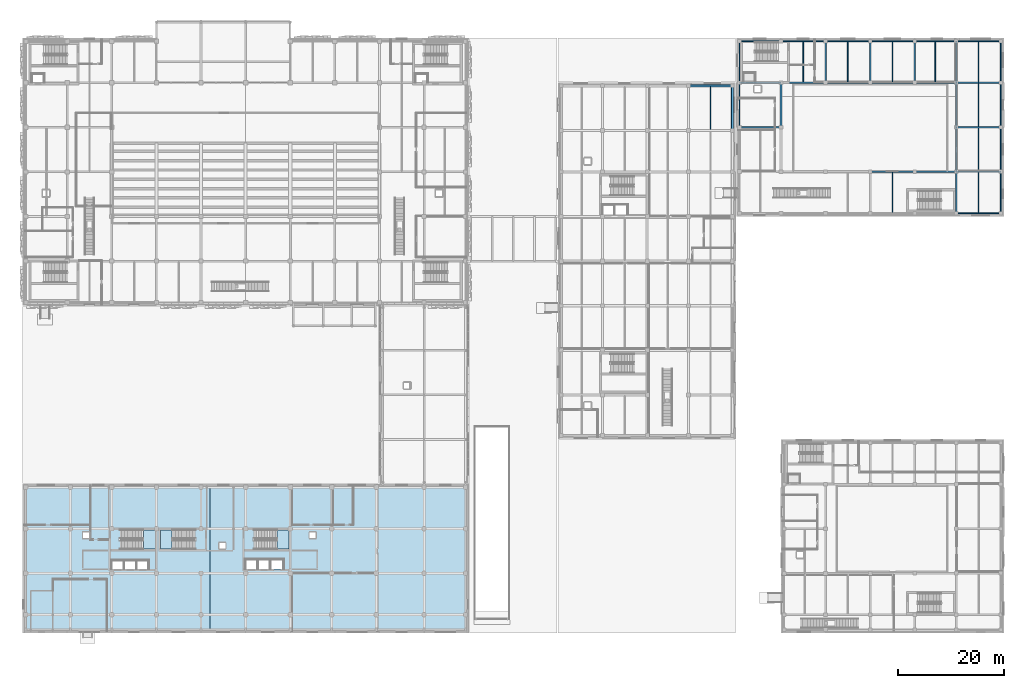
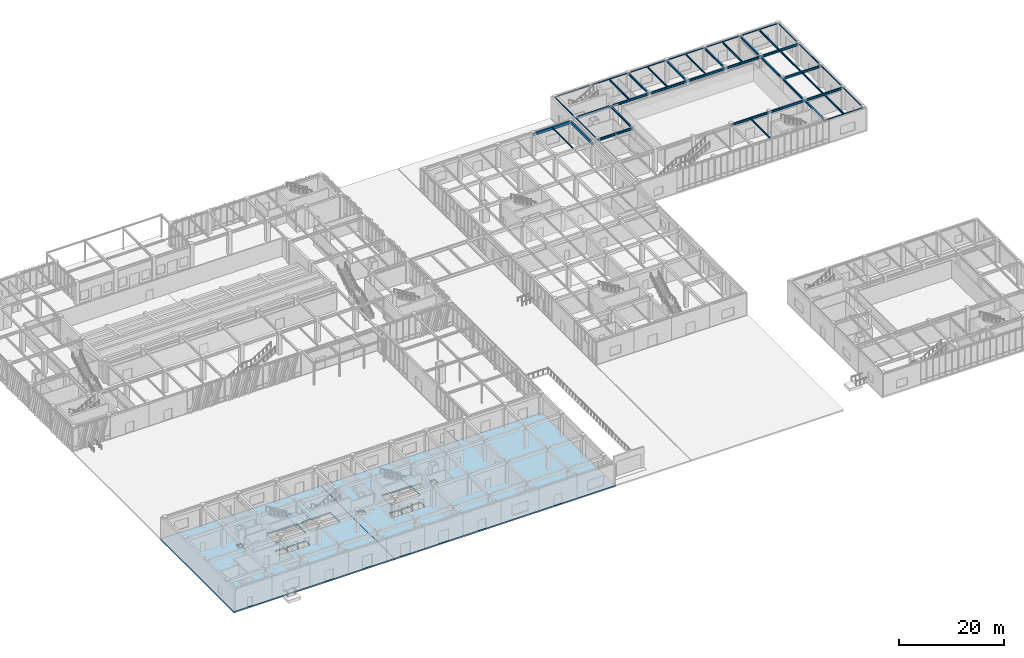
# One storey, part 77 of 122: 44 beams, 5 slabs, 3 elements without a shape of their own.
"""IFC4 building model written with IfcOpenShell, lengths in metres."""

from ifc_helpers import new_model, si_unit, direction, frame, origin, origin_2d, place, context, subcontext, project, spatial, polyline, rectangle, hollow_rectangle, i_section, outline, extrude, material, layer, layer_set, material_profile, profile_set, type_object, element, aggregate, save


model = new_model("IFC4")

# Units and contexts
model_context = context("Model", 3, precision=1e-05, world=origin(), true_north=direction((0.0, 1.0)))
body_context = subcontext(model_context, "Body", "Model", "MODEL_VIEW")
ifc_project = project(units=[si_unit("LENGTHUNIT", "METRE"), si_unit("AREAUNIT", "SQUARE_METRE"), si_unit("VOLUMEUNIT", "CUBIC_METRE"), si_unit("PLANEANGLEUNIT", "RADIAN"), si_unit("MASSUNIT", "GRAM", prefix="KILO")], contexts=[model_context])

# Site, building, storey
site_placement = place(None, origin())
site = spatial("IfcSite", under=ifc_project, at=site_placement, CompositionType="ELEMENT")
building_placement = place(site_placement, origin())
building = spatial("IfcBuilding", under=site, at=building_placement, Name="Zayran Congress Hotel", CompositionType="ELEMENT")
storey_placement = place(building_placement, origin())
storey = spatial("IfcBuildingStorey", under=building, at=storey_placement, Name="L00", CompositionType="ELEMENT", Elevation=0.0)

# Beams
ifc_material_1 = material(Name="Concrete C40/50", Category="concrete")
ifc_material_profile_1 = material_profile(ifc_material_1, rectangle(XDim=0.35009765625, YDim=0.60009765625, at=origin_2d()), Name="RC 350x600")
ifc_profile_set_1 = profile_set([ifc_material_profile_1], Name="Concrete C40/50")
beam_type_1 = type_object("IfcBeamType", Name="TP-SP-01", PredefinedType="SPANDREL", material=ifc_profile_set_1)
beam_1_placement = place(storey_placement, frame((133.800048828125, 109.0, 4.800048828125), z_axis=(1.0, 0.0, 0.0), x_axis=(0.0, 1.0, 0.0)))
element("IfcBeam", 1, at=beam_1_placement, inside=storey, type_object=beam_type_1, Name="BM-V4-L00-1241", PredefinedType="SPANDREL", context=body_context, shape_type="SweptSolid", body=[
    extrude(rectangle(XDim=0.35009765625, YDim=0.60009765625, at=origin_2d()), origin(), (0.0, 0.0, 1.0), 8.25),
])
beam_2_placement = place(storey_placement, frame((142.050048828125, 100.60009765625, 4.800048828125), z_axis=(0.0, 1.0, 0.0), x_axis=(-1.0, 0.0, 0.0)))
element("IfcBeam", 2, at=beam_2_placement, inside=storey, type_object=beam_type_1, Name="BM-V4-L00-1279", PredefinedType="SPANDREL", context=body_context, shape_type="SweptSolid", body=[
    extrude(rectangle(XDim=0.35009765625, YDim=0.60009765625, at=origin_2d()), origin(), (0.0, 0.0, 1.0), 8.39990234375),
])
ifc_material_2 = material(Name="Steel S355", Category="steel")
ifc_material_profile_2 = material_profile(ifc_material_2, i_section(OverallWidth=0.300048828125, OverallDepth=0.489990234375, WebThickness=0.011962890625, FlangeThickness=0.02294921875, at=origin_2d()), Name="HEA 500")
ifc_profile_set_2 = profile_set([ifc_material_profile_2], Name="Steel S355")
beam_type_2 = type_object("IfcBeamType", Name="TP-BM-05", PredefinedType="BEAM", material=ifc_profile_set_2)
beam_3_placement = place(storey_placement, frame((168.0, 92.800048828125, 4.8349609375), z_axis=(1.0, 0.0, 0.0), x_axis=(0.0, 1.0, 0.0)))
element("IfcBeam", 3, at=beam_3_placement, inside=storey, type_object=beam_type_2, Name="BM-V2-L00-0905", PredefinedType="BEAM", context=body_context, shape_type="SweptSolid", body=[
    extrude(i_section(OverallWidth=0.300048828125, OverallDepth=0.489990234375, WebThickness=0.011962890625, FlangeThickness=0.02294921875, at=origin_2d()), origin(), (0.0, 0.0, 1.0), 8.39990234375),
])
beam_4_placement = place(storey_placement, frame((176.39990234375, 92.800048828125, 4.8349609375), z_axis=(1.0, 0.0, 0.0), x_axis=(0.0, 1.0, 0.0)))
element("IfcBeam", 4, at=beam_4_placement, inside=storey, type_object=beam_type_2, Name="BM-V2-L00-0906", PredefinedType="BEAM", context=body_context, shape_type="SweptSolid", body=[
    extrude(i_section(OverallWidth=0.300048828125, OverallDepth=0.489990234375, WebThickness=0.011962890625, FlangeThickness=0.02294921875, at=origin_2d()), origin(), (0.0, 0.0, 1.0), 7.800048828125),
])
beam_5_placement = place(storey_placement, frame((184.199951171875, 92.800048828125, 4.8349609375), z_axis=(1.0, 0.0, 0.0), x_axis=(0.0, 1.0, 0.0)))
element("IfcBeam", 5, at=beam_5_placement, inside=storey, type_object=beam_type_2, Name="BM-V2-L00-0907", PredefinedType="BEAM", context=body_context, shape_type="SweptSolid", body=[
    extrude(i_section(OverallWidth=0.300048828125, OverallDepth=0.489990234375, WebThickness=0.011962890625, FlangeThickness=0.02294921875, at=origin_2d()), origin(), (0.0, 0.0, 1.0), 8.400146484375),
])
beam_6_placement = place(storey_placement, frame((143.39990234375, 101.199951171875, 4.8349609375), z_axis=(1.0, 0.0, 0.0), x_axis=(0.0, 1.0, 0.0)))
element("IfcBeam", 6, at=beam_6_placement, inside=storey, type_object=beam_type_2, Name="BM-V2-L00-0908", PredefinedType="BEAM", context=body_context, shape_type="SweptSolid", body=[
    extrude(i_section(OverallWidth=0.300048828125, OverallDepth=0.489990234375, WebThickness=0.011962890625, FlangeThickness=0.02294921875, at=origin_2d()), origin(), (0.0, 0.0, 1.0), 7.800048828125),
])
beam_7_placement = place(storey_placement, frame((184.199951171875, 101.199951171875, 4.8349609375), z_axis=(1.0, 0.0, 0.0), x_axis=(0.0, 1.0, 0.0)))
element("IfcBeam", 7, at=beam_7_placement, inside=storey, type_object=beam_type_2, Name="BM-V2-L00-0909", PredefinedType="BEAM", context=body_context, shape_type="SweptSolid", body=[
    extrude(i_section(OverallWidth=0.300048828125, OverallDepth=0.489990234375, WebThickness=0.011962890625, FlangeThickness=0.02294921875, at=origin_2d()), origin(), (0.0, 0.0, 1.0), 8.400146484375),
])
beam_8_placement = place(storey_placement, frame((143.39990234375, 109.60009765625, 4.8349609375), z_axis=(1.0, 0.0, 0.0), x_axis=(0.0, 1.0, 0.0)))
element("IfcBeam", 8, at=beam_8_placement, inside=storey, type_object=beam_type_2, Name="BM-V2-L00-0910", PredefinedType="BEAM", context=body_context, shape_type="SweptSolid", body=[
    extrude(i_section(OverallWidth=0.300048828125, OverallDepth=0.489990234375, WebThickness=0.011962890625, FlangeThickness=0.02294921875, at=origin_2d()), origin(), (0.0, 0.0, 1.0), 7.800048828125),
])
beam_9_placement = place(storey_placement, frame((151.199951171875, 109.60009765625, 4.8349609375), z_axis=(1.0, 0.0, 0.0), x_axis=(0.0, 1.0, 0.0)))
element("IfcBeam", 9, at=beam_9_placement, inside=storey, type_object=beam_type_2, Name="BM-V2-L00-0911", PredefinedType="BEAM", context=body_context, shape_type="SweptSolid", body=[
    extrude(i_section(OverallWidth=0.300048828125, OverallDepth=0.489990234375, WebThickness=0.011962890625, FlangeThickness=0.02294921875, at=origin_2d()), origin(), (0.0, 0.0, 1.0), 8.400146484375),
])
for number, where, z_axis, x_axis, name in (
    (10, (159.60009765625, 109.60009765625, 4.8349609375), (1.0, 0.0, 0.0), (0.0, 1.0, 0.0), "BM-V2-L00-0912"),
    (11, (168.0, 109.60009765625, 4.8349609375), (1.0, 0.0, 0.0), (0.0, 1.0, 0.0), "BM-V2-L00-0913"),
):
    element("IfcBeam", number, at=place(storey_placement, frame(where, z_axis=z_axis, x_axis=x_axis)), inside=storey, type_object=beam_type_2, Name=name, PredefinedType="BEAM", context=body_context, shape_type="SweptSolid", body=[
        extrude(i_section(OverallWidth=0.300048828125, OverallDepth=0.489990234375, WebThickness=0.011962890625, FlangeThickness=0.02294921875, at=origin_2d()), origin(), (0.0, 0.0, 1.0), 8.39990234375),
    ])
beam_10_placement = place(storey_placement, frame((176.39990234375, 109.60009765625, 4.8349609375), z_axis=(1.0, 0.0, 0.0), x_axis=(0.0, 1.0, 0.0)))
element("IfcBeam", 12, at=beam_10_placement, inside=storey, type_object=beam_type_2, Name="BM-V2-L00-0914", PredefinedType="BEAM", context=body_context, shape_type="SweptSolid", body=[
    extrude(i_section(OverallWidth=0.300048828125, OverallDepth=0.489990234375, WebThickness=0.011962890625, FlangeThickness=0.02294921875, at=origin_2d()), origin(), (0.0, 0.0, 1.0), 7.800048828125),
])
beam_11_placement = place(storey_placement, frame((184.199951171875, 109.60009765625, 4.8349609375), z_axis=(1.0, 0.0, 0.0), x_axis=(0.0, 1.0, 0.0)))
element("IfcBeam", 13, at=beam_11_placement, inside=storey, type_object=beam_type_2, Name="BM-V2-L00-0915", PredefinedType="BEAM", context=body_context, shape_type="SweptSolid", body=[
    extrude(i_section(OverallWidth=0.300048828125, OverallDepth=0.489990234375, WebThickness=0.011962890625, FlangeThickness=0.02294921875, at=origin_2d()), origin(), (0.0, 0.0, 1.0), 8.400146484375),
])
ifc_material_profile_3 = material_profile(ifc_material_2, i_section(OverallWidth=0.300048828125, OverallDepth=0.389892578125, WebThickness=0.010986328125, FlangeThickness=0.01904296875, at=origin_2d()), Name="HEA 400")
ifc_profile_set_3 = profile_set([ifc_material_profile_3], Name="Steel S355")
beam_type_3 = type_object("IfcBeamType", Name="TP-BM-06", PredefinedType="BEAM", material=ifc_profile_set_3)
beam_12_placement = place(storey_placement, frame((151.199951171875, 101.199951171875, 4.885009765625), z_axis=(0.0, 1.0, 0.0), x_axis=(-1.0, 0.0, 0.0)))
element("IfcBeam", 14, at=beam_12_placement, inside=storey, type_object=beam_type_3, Name="BM-V2-L00-0927", PredefinedType="BEAM", context=body_context, shape_type="SweptSolid", body=[
    extrude(i_section(OverallWidth=0.300048828125, OverallDepth=0.389892578125, WebThickness=0.010986328125, FlangeThickness=0.01904296875, at=origin_2d()), origin(), (0.0, 0.0, 1.0), 8.400146484375),
])
for number, where, z_axis, x_axis, name in (
    (15, (159.60009765625, 109.60009765625, 4.885009765625), (0.0, 1.0, 0.0), (-1.0, 0.0, 0.0), "BM-V2-L00-0928"),
    (16, (168.0, 109.60009765625, 4.885009765625), (0.0, 1.0, 0.0), (-1.0, 0.0, 0.0), "BM-V2-L00-0930"),
    (17, (176.39990234375, 109.60009765625, 4.885009765625), (0.0, 1.0, 0.0), (-1.0, 0.0, 0.0), "BM-V2-L00-0931"),
):
    element("IfcBeam", number, at=place(storey_placement, frame(where, z_axis=z_axis, x_axis=x_axis)), inside=storey, type_object=beam_type_3, Name=name, PredefinedType="BEAM", context=body_context, shape_type="SweptSolid", body=[
        extrude(i_section(OverallWidth=0.300048828125, OverallDepth=0.389892578125, WebThickness=0.010986328125, FlangeThickness=0.01904296875, at=origin_2d()), origin(), (0.0, 0.0, 1.0), 7.7998046875),
    ])
beam_13_placement = place(storey_placement, frame((184.199951171875, 85.0, 4.885009765625), z_axis=(0.0, 1.0, 0.0), x_axis=(-1.0, 0.0, 0.0)))
element("IfcBeam", 18, at=beam_13_placement, inside=storey, type_object=beam_type_3, Name="BM-V2-L00-0932", PredefinedType="BEAM", context=body_context, shape_type="SweptSolid", body=[
    extrude(i_section(OverallWidth=0.300048828125, OverallDepth=0.389892578125, WebThickness=0.010986328125, FlangeThickness=0.01904296875, at=origin_2d()), origin(), (0.0, 0.0, 1.0), 7.800048828125),
])
beam_14_placement = place(storey_placement, frame((184.199951171875, 92.800048828125, 4.885009765625), z_axis=(0.0, 1.0, 0.0), x_axis=(-1.0, 0.0, 0.0)))
element("IfcBeam", 19, at=beam_14_placement, inside=storey, type_object=beam_type_3, Name="BM-V2-L00-0933", PredefinedType="BEAM", context=body_context, shape_type="SweptSolid", body=[
    extrude(i_section(OverallWidth=0.300048828125, OverallDepth=0.389892578125, WebThickness=0.010986328125, FlangeThickness=0.01904296875, at=origin_2d()), origin(), (0.0, 0.0, 1.0), 8.39990234375),
])
beam_15_placement = place(storey_placement, frame((184.199951171875, 101.199951171875, 4.885009765625), z_axis=(0.0, 1.0, 0.0), x_axis=(-1.0, 0.0, 0.0)))
element("IfcBeam", 20, at=beam_15_placement, inside=storey, type_object=beam_type_3, Name="BM-V2-L00-0934", PredefinedType="BEAM", context=body_context, shape_type="SweptSolid", body=[
    extrude(i_section(OverallWidth=0.300048828125, OverallDepth=0.389892578125, WebThickness=0.010986328125, FlangeThickness=0.01904296875, at=origin_2d()), origin(), (0.0, 0.0, 1.0), 8.400146484375),
])
beam_16_placement = place(storey_placement, frame((184.199951171875, 109.60009765625, 4.885009765625), z_axis=(0.0, 1.0, 0.0), x_axis=(-1.0, 0.0, 0.0)))
element("IfcBeam", 21, at=beam_16_placement, inside=storey, type_object=beam_type_3, Name="BM-V2-L00-0935", PredefinedType="BEAM", context=body_context, shape_type="SweptSolid", body=[
    extrude(i_section(OverallWidth=0.300048828125, OverallDepth=0.389892578125, WebThickness=0.010986328125, FlangeThickness=0.01904296875, at=origin_2d()), origin(), (0.0, 0.0, 1.0), 7.7998046875),
])
ifc_material_profile_4 = material_profile(ifc_material_2, i_section(OverallWidth=0.18994140625, OverallDepth=0.449951171875, WebThickness=0.009521484375, FlangeThickness=0.0146484375, at=origin_2d()), Name="IPE 450")
ifc_profile_set_4 = profile_set([ifc_material_profile_4], Name="Steel S355")
beam_type_4 = type_object("IfcBeamType", Name="TP-JS-02", PredefinedType="JOIST", material=ifc_profile_set_4)
beam_17_placement = place(storey_placement, frame((180.300048828125, 109.75, 4.85498046875), z_axis=(0.0, 1.0, 0.0), x_axis=(-1.0, 0.0, 0.0)))
element("IfcBeam", 22, at=beam_17_placement, inside=storey, type_object=beam_type_4, Name="JST-V2-L00-0948", PredefinedType="JOIST", context=body_context, shape_type="SweptSolid", body=[
    extrude(i_section(OverallWidth=0.18994140625, OverallDepth=0.449951171875, WebThickness=0.009521484375, FlangeThickness=0.0146484375, at=origin_2d()), origin(), (0.0, 0.0, 1.0), 7.590087890625),
])
ifc_material_profile_5 = material_profile(ifc_material_2, i_section(OverallWidth=0.179931640625, OverallDepth=0.39990234375, WebThickness=0.008544921875, FlangeThickness=0.013427734375, at=origin_2d()), Name="IPE 400")
ifc_profile_set_5 = profile_set([ifc_material_profile_5], Name="Steel S355")
beam_type_5 = type_object("IfcBeamType", Name="TP-JS-03", PredefinedType="JOIST", material=ifc_profile_set_5)
beam_18_placement = place(storey_placement, frame((155.39990234375, 109.75, 4.8798828125), z_axis=(0.0, 1.0, 0.0), x_axis=(-1.0, 0.0, 0.0)))
element("IfcBeam", 23, at=beam_18_placement, inside=storey, type_object=beam_type_5, Name="JST-V2-L00-0943", PredefinedType="JOIST", context=body_context, shape_type="SweptSolid", body=[
    extrude(i_section(OverallWidth=0.179931640625, OverallDepth=0.39990234375, WebThickness=0.008544921875, FlangeThickness=0.013427734375, at=origin_2d()), origin(), (0.0, 0.0, 1.0), 7.590087890625),
])
beam_19_placement = place(storey_placement, frame((188.39990234375, 85.06005859375, 4.8798828125), z_axis=(0.0, 1.0, 0.0), x_axis=(-1.0, 0.0, 0.0)))
element("IfcBeam", 24, at=beam_19_placement, inside=storey, type_object=beam_type_5, Name="JST-V2-L00-0949", PredefinedType="JOIST", context=body_context, shape_type="SweptSolid", body=[
    extrude(i_section(OverallWidth=0.179931640625, OverallDepth=0.39990234375, WebThickness=0.008544921875, FlangeThickness=0.013427734375, at=origin_2d()), origin(), (0.0, 0.0, 1.0), 7.58984375),
])
beam_20_placement = place(storey_placement, frame((188.39990234375, 92.949951171875, 4.8798828125), z_axis=(0.0, 1.0, 0.0), x_axis=(-1.0, 0.0, 0.0)))
element("IfcBeam", 25, at=beam_20_placement, inside=storey, type_object=beam_type_5, Name="JST-V2-L00-0950", PredefinedType="JOIST", context=body_context, shape_type="SweptSolid", body=[
    extrude(i_section(OverallWidth=0.179931640625, OverallDepth=0.39990234375, WebThickness=0.008544921875, FlangeThickness=0.013427734375, at=origin_2d()), origin(), (0.0, 0.0, 1.0), 8.10009765625),
])
beam_21_placement = place(storey_placement, frame((188.39990234375, 101.35009765625, 4.8798828125), z_axis=(0.0, 1.0, 0.0), x_axis=(-1.0, 0.0, 0.0)))
element("IfcBeam", 26, at=beam_21_placement, inside=storey, type_object=beam_type_5, Name="JST-V2-L00-0951", PredefinedType="JOIST", context=body_context, shape_type="SweptSolid", body=[
    extrude(i_section(OverallWidth=0.179931640625, OverallDepth=0.39990234375, WebThickness=0.008544921875, FlangeThickness=0.013427734375, at=origin_2d()), origin(), (0.0, 0.0, 1.0), 8.099853515625),
])
beam_22_placement = place(storey_placement, frame((188.39990234375, 109.75, 4.8798828125), z_axis=(0.0, 1.0, 0.0), x_axis=(-1.0, 0.0, 0.0)))
element("IfcBeam", 27, at=beam_22_placement, inside=storey, type_object=beam_type_5, Name="JST-V2-L00-0952", PredefinedType="JOIST", context=body_context, shape_type="SweptSolid", body=[
    extrude(i_section(OverallWidth=0.179931640625, OverallDepth=0.39990234375, WebThickness=0.008544921875, FlangeThickness=0.013427734375, at=origin_2d()), origin(), (0.0, 0.0, 1.0), 7.590087890625),
])
ifc_material_profile_6 = material_profile(ifc_material_2, i_section(OverallWidth=0.169921875, OverallDepth=0.360107421875, WebThickness=0.008056640625, FlangeThickness=0.0126953125, at=origin_2d()), Name="IPE 360")
ifc_profile_set_6 = profile_set([ifc_material_profile_6], Name="Steel S355")
beam_type_6 = type_object("IfcBeamType", Name="TP-JS-04", PredefinedType="JOIST", material=ifc_profile_set_6)
beam_23_placement = place(storey_placement, frame((163.800048828125, 109.75, 4.89990234375), z_axis=(0.0, 1.0, 0.0), x_axis=(-1.0, 0.0, 0.0)))
element("IfcBeam", 28, at=beam_23_placement, inside=storey, type_object=beam_type_6, Name="JST-V2-L00-0945", PredefinedType="JOIST", context=body_context, shape_type="SweptSolid", body=[
    extrude(i_section(OverallWidth=0.169921875, OverallDepth=0.360107421875, WebThickness=0.008056640625, FlangeThickness=0.0126953125, at=origin_2d()), origin(), (0.0, 0.0, 1.0), 7.590087890625),
])
ifc_material_profile_7 = material_profile(ifc_material_2, i_section(OverallWidth=0.14990234375, OverallDepth=0.300048828125, WebThickness=0.007080078125, FlangeThickness=0.0107421875, at=origin_2d()), Name="IPE 300")
ifc_profile_set_7 = profile_set([ifc_material_profile_7], Name="Steel S355")
beam_type_7 = type_object("IfcBeamType", Name="TP-JS-05", PredefinedType="JOIST", material=ifc_profile_set_7)
beam_24_placement = place(storey_placement, frame((172.199951171875, 85.06005859375, 4.929931640625), z_axis=(0.0, 1.0, 0.0), x_axis=(-1.0, 0.0, 0.0)))
element("IfcBeam", 29, at=beam_24_placement, inside=storey, type_object=beam_type_7, Name="JST-V2-L00-0946", PredefinedType="JOIST", context=body_context, shape_type="SweptSolid", body=[
    extrude(i_section(OverallWidth=0.14990234375, OverallDepth=0.300048828125, WebThickness=0.007080078125, FlangeThickness=0.0107421875, at=origin_2d()), origin(), (0.0, 0.0, 1.0), 7.58984375),
])
beam_25_placement = place(storey_placement, frame((172.199951171875, 109.75, 4.929931640625), z_axis=(0.0, 1.0, 0.0), x_axis=(-1.0, 0.0, 0.0)))
element("IfcBeam", 30, at=beam_25_placement, inside=storey, type_object=beam_type_7, Name="JST-V2-L00-0947", PredefinedType="JOIST", context=body_context, shape_type="SweptSolid", body=[
    extrude(i_section(OverallWidth=0.14990234375, OverallDepth=0.300048828125, WebThickness=0.007080078125, FlangeThickness=0.0107421875, at=origin_2d()), origin(), (0.0, 0.0, 1.0), 7.590087890625),
])
beam_26_placement = place(storey_placement, frame((137.925048828125, 100.800048828125, 4.949951171875), z_axis=(0.0, 1.0, 0.0), x_axis=(-1.0, 0.0, 0.0)))
element("IfcBeam", 31, at=beam_26_placement, inside=storey, type_object=beam_type_7, Name="JST-V4-L00-1307", PredefinedType="JOIST", context=body_context, shape_type="SweptSolid", body=[
    extrude(i_section(OverallWidth=0.14990234375, OverallDepth=0.300048828125, WebThickness=0.007080078125, FlangeThickness=0.0107421875, at=origin_2d()), origin(), (0.0, 0.0, 1.0), 8.02490234375),
])
ifc_material_profile_8 = material_profile(ifc_material_2, hollow_rectangle(XDim=0.1201171875, YDim=0.199951171875, WallThickness=0.008056640625, at=origin_2d()), Name="RHS 200x120x8")
ifc_profile_set_8 = profile_set([ifc_material_profile_8], Name="Steel S355")
beam_type_8 = type_object("IfcBeamType", Name="TP-SP-02", PredefinedType="SPANDREL", material=ifc_profile_set_8)
beam_27_placement = place(storey_placement, frame((184.199951171875, 85.0, 4.97998046875), z_axis=(1.0, 0.0, 0.0), x_axis=(0.0, 1.0, 0.0)))
element("IfcBeam", 32, at=beam_27_placement, inside=storey, type_object=beam_type_8, Name="BM-V2-L00-0901", PredefinedType="SPANDREL", context=body_context, shape_type="SweptSolid", body=[
    extrude(hollow_rectangle(XDim=0.1201171875, YDim=0.199951171875, WallThickness=0.008056640625, at=origin_2d()), origin(), (0.0, 0.0, 1.0), 8.400146484375),
])
beam_28_placement = place(storey_placement, frame((143.39990234375, 117.39990234375, 4.97998046875), z_axis=(1.0, 0.0, 0.0), x_axis=(0.0, 1.0, 0.0)))
element("IfcBeam", 33, at=beam_28_placement, inside=storey, type_object=beam_type_8, Name="BM-V2-L00-0916", PredefinedType="SPANDREL", context=body_context, shape_type="SweptSolid", body=[
    extrude(hollow_rectangle(XDim=0.1201171875, YDim=0.199951171875, WallThickness=0.008056640625, at=origin_2d()), origin(), (0.0, 0.0, 1.0), 7.800048828125),
])
beam_29_placement = place(storey_placement, frame((151.199951171875, 117.39990234375, 4.97998046875), z_axis=(1.0, 0.0, 0.0), x_axis=(0.0, 1.0, 0.0)))
element("IfcBeam", 34, at=beam_29_placement, inside=storey, type_object=beam_type_8, Name="BM-V2-L00-0917", PredefinedType="SPANDREL", context=body_context, shape_type="SweptSolid", body=[
    extrude(hollow_rectangle(XDim=0.1201171875, YDim=0.199951171875, WallThickness=0.008056640625, at=origin_2d()), origin(), (0.0, 0.0, 1.0), 8.400146484375),
])
for number, where, z_axis, x_axis, name in (
    (35, (159.60009765625, 117.39990234375, 4.97998046875), (1.0, 0.0, 0.0), (0.0, 1.0, 0.0), "BM-V2-L00-0918"),
    (36, (168.0, 117.39990234375, 4.97998046875), (1.0, 0.0, 0.0), (0.0, 1.0, 0.0), "BM-V2-L00-0919"),
):
    element("IfcBeam", number, at=place(storey_placement, frame(where, z_axis=z_axis, x_axis=x_axis)), inside=storey, type_object=beam_type_8, Name=name, PredefinedType="SPANDREL", context=body_context, shape_type="SweptSolid", body=[
        extrude(hollow_rectangle(XDim=0.1201171875, YDim=0.199951171875, WallThickness=0.008056640625, at=origin_2d()), origin(), (0.0, 0.0, 1.0), 8.39990234375),
    ])
beam_30_placement = place(storey_placement, frame((176.39990234375, 117.39990234375, 4.97998046875), z_axis=(1.0, 0.0, 0.0), x_axis=(0.0, 1.0, 0.0)))
element("IfcBeam", 37, at=beam_30_placement, inside=storey, type_object=beam_type_8, Name="BM-V2-L00-0920", PredefinedType="SPANDREL", context=body_context, shape_type="SweptSolid", body=[
    extrude(hollow_rectangle(XDim=0.1201171875, YDim=0.199951171875, WallThickness=0.008056640625, at=origin_2d()), origin(), (0.0, 0.0, 1.0), 7.800048828125),
])
for number, where, z_axis, x_axis, name in (
    (38, (184.199951171875, 117.39990234375, 4.97998046875), (1.0, 0.0, 0.0), (0.0, 1.0, 0.0), "BM-V2-L00-0921"),
    (39, (143.39990234375, 101.199951171875, 4.97998046875), (0.0, 1.0, 0.0), (-1.0, 0.0, 0.0), "BM-V2-L00-0924"),
):
    element("IfcBeam", number, at=place(storey_placement, frame(where, z_axis=z_axis, x_axis=x_axis)), inside=storey, type_object=beam_type_8, Name=name, PredefinedType="SPANDREL", context=body_context, shape_type="SweptSolid", body=[
        extrude(hollow_rectangle(XDim=0.1201171875, YDim=0.199951171875, WallThickness=0.008056640625, at=origin_2d()), origin(), (0.0, 0.0, 1.0), 8.400146484375),
    ])
beam_31_placement = place(storey_placement, frame((143.39990234375, 109.60009765625, 4.97998046875), z_axis=(0.0, 1.0, 0.0), x_axis=(-1.0, 0.0, 0.0)))
element("IfcBeam", 40, at=beam_31_placement, inside=storey, type_object=beam_type_8, Name="BM-V2-L00-0925", PredefinedType="SPANDREL", context=body_context, shape_type="SweptSolid", body=[
    extrude(hollow_rectangle(XDim=0.1201171875, YDim=0.199951171875, WallThickness=0.008056640625, at=origin_2d()), origin(), (0.0, 0.0, 1.0), 7.7998046875),
])
beam_32_placement = place(storey_placement, frame((192.60009765625, 85.0, 4.97998046875), z_axis=(0.0, 1.0, 0.0), x_axis=(-1.0, 0.0, 0.0)))
element("IfcBeam", 41, at=beam_32_placement, inside=storey, type_object=beam_type_8, Name="BM-V2-L00-0936", PredefinedType="SPANDREL", context=body_context, shape_type="SweptSolid", body=[
    extrude(hollow_rectangle(XDim=0.1201171875, YDim=0.199951171875, WallThickness=0.008056640625, at=origin_2d()), origin(), (0.0, 0.0, 1.0), 7.800048828125),
])
beam_33_placement = place(storey_placement, frame((192.60009765625, 92.800048828125, 4.97998046875), z_axis=(0.0, 1.0, 0.0), x_axis=(-1.0, 0.0, 0.0)))
element("IfcBeam", 42, at=beam_33_placement, inside=storey, type_object=beam_type_8, Name="BM-V2-L00-0937", PredefinedType="SPANDREL", context=body_context, shape_type="SweptSolid", body=[
    extrude(hollow_rectangle(XDim=0.1201171875, YDim=0.199951171875, WallThickness=0.008056640625, at=origin_2d()), origin(), (0.0, 0.0, 1.0), 8.39990234375),
])
beam_34_placement = place(storey_placement, frame((192.60009765625, 101.199951171875, 4.97998046875), z_axis=(0.0, 1.0, 0.0), x_axis=(-1.0, 0.0, 0.0)))
element("IfcBeam", 43, at=beam_34_placement, inside=storey, type_object=beam_type_8, Name="BM-V2-L00-0938", PredefinedType="SPANDREL", context=body_context, shape_type="SweptSolid", body=[
    extrude(hollow_rectangle(XDim=0.1201171875, YDim=0.199951171875, WallThickness=0.008056640625, at=origin_2d()), origin(), (0.0, 0.0, 1.0), 8.400146484375),
])
beam_35_placement = place(storey_placement, frame((192.60009765625, 109.60009765625, 4.97998046875), z_axis=(0.0, 1.0, 0.0), x_axis=(-1.0, 0.0, 0.0)))
element("IfcBeam", 44, at=beam_35_placement, inside=storey, type_object=beam_type_8, Name="BM-V2-L00-0939", PredefinedType="SPANDREL", context=body_context, shape_type="SweptSolid", body=[
    extrude(hollow_rectangle(XDim=0.1201171875, YDim=0.199951171875, WallThickness=0.008056640625, at=origin_2d()), origin(), (0.0, 0.0, 1.0), 7.7998046875),
])

# Slabs
ifc_material_3 = material(Name="Concrete C32/40", Category="concrete")
ifc_layer_1 = layer(ifc_material_3, 0.320068359375)
ifc_layer_set_1 = layer_set([ifc_layer_1], Name="Concrete C32/40")
slab_type_1 = type_object("IfcSlabType", Name="SL-PD-320", PredefinedType="FLOOR", material=ifc_layer_set_1)
slab_1_placement = place(storey_placement, frame((0.0, 0.0, -0.320068359375)))
element("IfcSlab", 45, at=slab_1_placement, inside=storey, type_object=slab_type_1, Name="SLB-V5-L00-030", PredefinedType="FLOOR", context=body_context, shape_type="SweptSolid", body=[
    extrude(outline(polyline([(8.39990234375, 6.0), (43.699951171875, 6.0), (43.699951171875, 34.0), (8.39990234375, 34.0), (8.39990234375, 6.0)]), holes=[polyline([(26.840087890625, 21.760009765625), (33.39990234375, 21.760009765625), (33.39990234375, 25.39990234375), (26.840087890625, 25.39990234375), (26.840087890625, 21.760009765625)]), polyline([(25.199951171875, 18.0), (27.39990234375, 18.0), (27.39990234375, 19.60009765625), (25.199951171875, 19.60009765625), (25.199951171875, 18.0)]), polyline([(27.60009765625, 18.0), (29.699951171875, 18.0), (29.699951171875, 19.60009765625), (27.60009765625, 19.60009765625), (27.60009765625, 18.0)]), polyline([(30.0, 18.0), (32.10009765625, 18.0), (32.10009765625, 19.60009765625), (30.0, 19.60009765625), (30.0, 18.0)]), polyline([(34.39990234375, 21.760009765625), (40.860107421875, 21.760009765625), (40.860107421875, 25.39990234375), (34.39990234375, 25.39990234375), (34.39990234375, 21.760009765625)]), polyline([(19.739990234375, 23.800048828125), (20.9599609375, 23.800048828125), (20.9599609375, 24.97998046875), (19.739990234375, 24.97998046875), (19.739990234375, 23.800048828125)])]), origin(), (0.0, 0.0, 1.0), 0.320068359375),
])
slab_2_placement = place(storey_placement, frame((0.0, 0.0, -0.320068359375)))
element("IfcSlab", 46, at=slab_2_placement, inside=storey, type_object=slab_type_1, Name="SLB-V5-L00-031", PredefinedType="FLOOR", context=body_context, shape_type="SweptSolid", body=[
    extrude(outline(polyline([(43.699951171875, 6.0), (92.39990234375, 6.0), (92.39990234375, 34.0), (43.699951171875, 34.0), (43.699951171875, 6.0)]), holes=[polyline([(52.0400390625, 21.760009765625), (58.60009765625, 21.760009765625), (58.60009765625, 25.39990234375), (52.0400390625, 25.39990234375), (52.0400390625, 21.760009765625)]), polyline([(50.39990234375, 18.0), (52.60009765625, 18.0), (52.60009765625, 19.60009765625), (50.39990234375, 19.60009765625), (50.39990234375, 18.0)]), polyline([(52.800048828125, 18.0), (54.89990234375, 18.0), (54.89990234375, 19.60009765625), (52.800048828125, 19.60009765625), (52.800048828125, 18.0)]), polyline([(55.199951171875, 18.0), (57.5, 18.0), (57.5, 19.800048828125), (55.199951171875, 19.800048828125), (55.199951171875, 18.0)]), polyline([(45.39990234375, 21.800048828125), (46.6201171875, 21.800048828125), (46.6201171875, 22.97998046875), (45.39990234375, 22.97998046875), (45.39990234375, 21.800048828125)]), polyline([(62.39990234375, 23.800048828125), (63.6201171875, 23.800048828125), (63.6201171875, 24.97998046875), (62.39990234375, 24.97998046875), (62.39990234375, 23.800048828125)])]), origin(), (0.0, 0.0, 1.0), 0.320068359375),
])

# Stair, slab
stair_type = type_object("IfcStairType", Name="TP-STR-1700-54", PredefinedType="USERDEFINED", material=ifc_material_3)
stair_1_placement = place(storey_placement, origin())
stair_1 = element("IfcStair", 47, at=stair_1_placement, inside=storey, type_object=stair_type, Name="L00 ST-01", ObjectType="TWO_RETURN_STAIR", PredefinedType="USERDEFINED")
ifc_layer_2 = layer(ifc_material_3, 0.199951171875)
ifc_layer_set_2 = layer_set([ifc_layer_2], Name="Concrete C32/40")
slab_type_2 = type_object("IfcSlabType", Name="TP-LND-1700", PredefinedType="LANDING", material=ifc_layer_set_2)
slab_3_placement = place(storey_placement, frame((0.0, 0.0, 2.5)))
slab_3 = element("IfcSlab", 48, at=slab_3_placement, type_object=slab_type_2, Name="ST-01 landing 1", PredefinedType="LANDING", context=body_context, shape_type="SweptSolid", body=[
    extrude(outline(polyline([(31.125, 21.760009765625), (33.39990234375, 21.760009765625), (33.39990234375, 25.39990234375), (31.125, 25.39990234375), (31.125, 21.760009765625)])), origin(), (0.0, 0.0, 1.0), 0.199951171875),
])
aggregate(stair_1, [slab_3])

stair_2_placement = place(storey_placement, origin())
stair_2 = element("IfcStair", 49, at=stair_2_placement, inside=storey, type_object=stair_type, Name="L00 ST-02", ObjectType="TWO_RETURN_STAIR", PredefinedType="USERDEFINED")
slab_4_placement = place(storey_placement, frame((0.0, 0.0, 2.5)))
slab_4 = element("IfcSlab", 50, at=slab_4_placement, type_object=slab_type_2, Name="ST-02 landing 1", PredefinedType="LANDING", context=body_context, shape_type="SweptSolid", body=[
    extrude(outline(polyline([(56.324951171875, 21.760009765625), (58.60009765625, 21.760009765625), (58.60009765625, 25.39990234375), (56.324951171875, 25.39990234375), (56.324951171875, 21.760009765625)])), origin(), (0.0, 0.0, 1.0), 0.199951171875),
])
aggregate(stair_2, [slab_4])

stair_3_placement = place(storey_placement, origin())
stair_3 = element("IfcStair", 51, at=stair_3_placement, inside=storey, type_object=stair_type, Name="L00 ST-13", ObjectType="TWO_RETURN_STAIR", PredefinedType="USERDEFINED")
slab_5_placement = place(storey_placement, frame((0.0, 0.0, 2.5)))
slab_5 = element("IfcSlab", 52, at=slab_5_placement, type_object=slab_type_2, Name="ST-13 landing 1", PredefinedType="LANDING", context=body_context, shape_type="SweptSolid", body=[
    extrude(outline(polyline([(36.574951171875, 25.39990234375), (34.39990234375, 25.39990234375), (34.39990234375, 21.760009765625), (36.574951171875, 21.760009765625), (36.574951171875, 25.39990234375)])), origin(), (0.0, 0.0, 1.0), 0.199951171875),
])
aggregate(stair_3, [slab_5])

save(model, "model.ifc")
